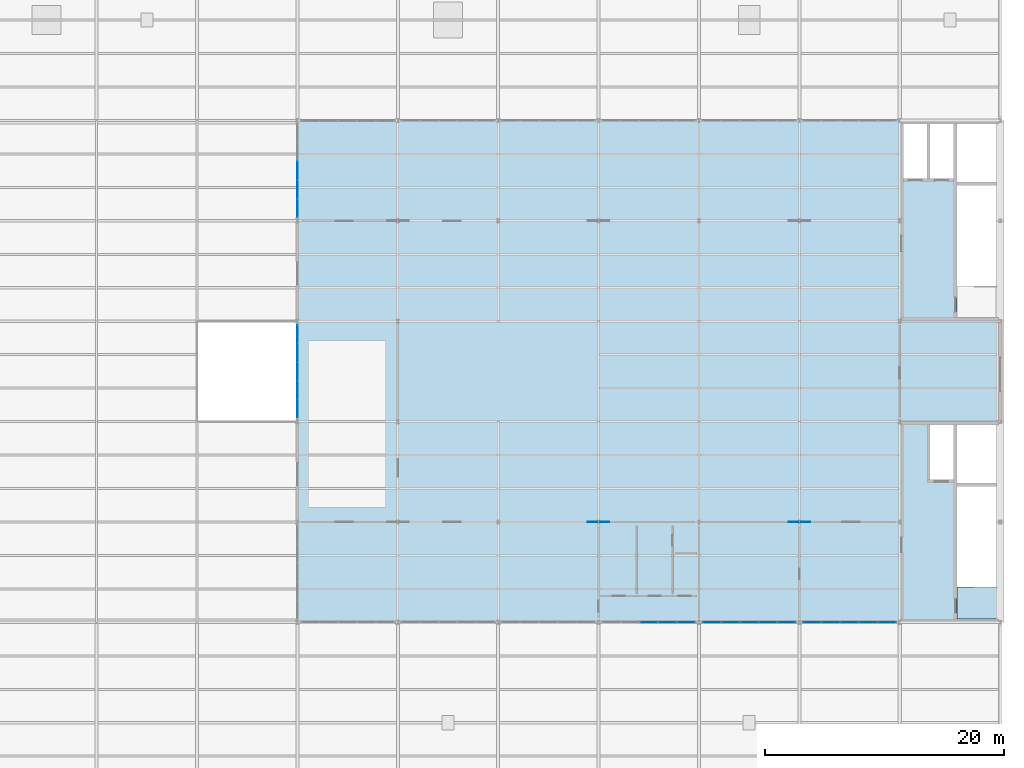
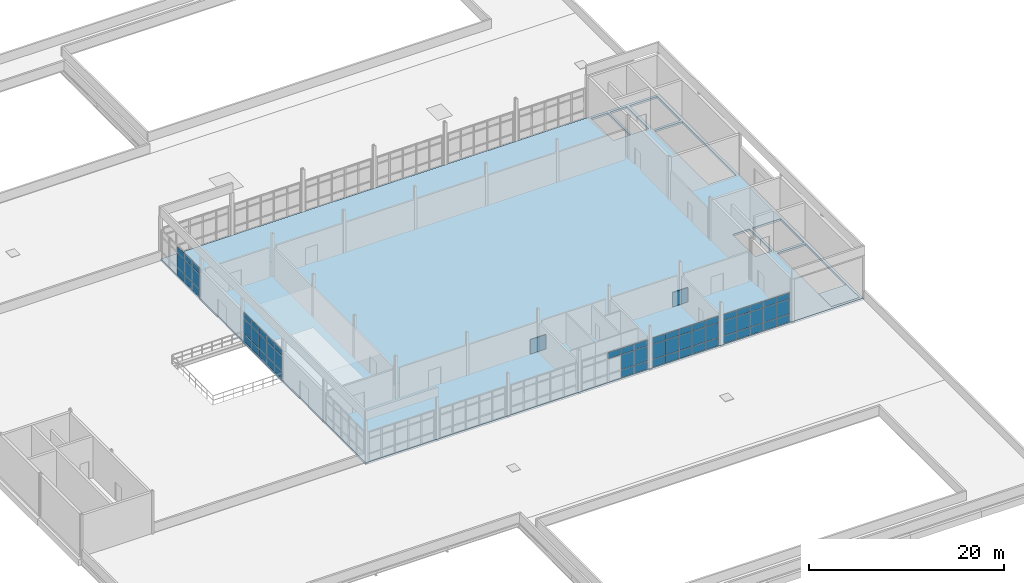
# One storey, part 25 of 33: 63 plates, 2 slabs, 5 elements without a shape of their own.
"""IFC4 building model written with IfcOpenShell, lengths in metres."""

from ifc_helpers import new_model, si_unit, direction, frame, origin, origin_2d, place, context, subcontext, project, spatial, polyline, rectangle, outline, extrude, material, layer, layer_set, type_object, element, aggregate, save


model = new_model("IFC4")

# Units and contexts
model_context = context("Model", 3, precision=1e-05, world=origin(), true_north=direction((0.0, 1.0)))
body_context = subcontext(model_context, "Body", "Model", "MODEL_VIEW")
ifc_project = project(units=[si_unit("LENGTHUNIT", "METRE"), si_unit("AREAUNIT", "SQUARE_METRE"), si_unit("VOLUMEUNIT", "CUBIC_METRE"), si_unit("PLANEANGLEUNIT", "RADIAN"), si_unit("MASSUNIT", "GRAM", prefix="KILO"), si_unit("THERMODYNAMICTEMPERATUREUNIT", "KELVIN"), si_unit("POWERUNIT", "WATT")], contexts=[model_context])

# Site, building, storey
site_placement = place(None, origin())
site = spatial("IfcSite", under=ifc_project, at=site_placement, CompositionType="ELEMENT")
building_placement = place(site_placement, origin())
building = spatial("IfcBuilding", under=site, at=building_placement, Name="Tembeka Court Mobility Hub", CompositionType="ELEMENT")
storey_placement = place(building_placement, frame((0.0, 0.0, 23.39990234375)))
storey = spatial("IfcBuildingStorey", under=building, at=storey_placement, Name="L06", CompositionType="ELEMENT", Elevation=23.39990234375)

# Plates
ifc_material_1 = material(Name="Perforated anodised aluminium acoustic screen", Category="aluminium")
ifc_layer_1 = layer(ifc_material_1, 0.06396484375)
ifc_layer_set_1 = layer_set([ifc_layer_1], Name="Perforated anodised aluminium acoustic screen")
plate_type_1 = type_object("IfcPlateType", Name="PL-AC01", PredefinedType="SHEET", material=ifc_layer_set_1)
for number, where, z_axis, x_axis, name in (
    (1, (58.800048828125, 46.800048828125, 0.0), (0.0, 0.0, 1.0), (1.0, 0.0, 0.0), "Concourse acoustic baffle screen AP01-2"),
    (2, (75.60009765625, 46.800048828125, 0.0), (0.0, 0.0, 1.0), (1.0, 0.0, 0.0), "Concourse acoustic baffle screen AP01-3"),
):
    element("IfcPlate", number, at=place(storey_placement, frame(where, z_axis=z_axis, x_axis=x_axis)), inside=storey, type_object=plate_type_1, Name=name, PredefinedType="SHEET", context=body_context, shape_type="SweptSolid", body=[
        extrude(rectangle(XDim=1.800048828125, YDim=0.06396484375, at=origin_2d()), origin(), (0.0, 0.0, 1.0), 1.800048828125),
    ])

# Curtain wall, plates
ifc_material_2 = material(Name="Anodised aluminium 6063-T6", Category="aluminium")
ifc_layer_2 = layer(ifc_material_2, 0.159912109375)
ifc_layer_set_2 = layer_set([ifc_layer_2], Name="Anodised aluminium 6063-T6")
curtain_wall_type = type_object("IfcCurtainWallType", Name="CW-SYS57", PredefinedType="USERDEFINED", material=ifc_layer_set_2)
curtain_wall_1_placement = place(storey_placement, origin())
curtain_wall_1 = element("IfcCurtainWall", 3, at=curtain_wall_1_placement, inside=storey, type_object=curtain_wall_type, Name="Unitised curtain wall CW57 (CW-L06-149)", ObjectType="UNITISED GLAZING", PredefinedType="USERDEFINED")
ifc_material_3 = material(Name="Laminated solar-control low-E glass", Category="glass")
ifc_layer_3 = layer(ifc_material_3, 0.028076171875)
ifc_layer_set_3 = layer_set([ifc_layer_3], Name="Laminated solar-control low-E glass")
plate_type_2 = type_object("IfcPlateType", Name="PL-CW01", PredefinedType="CURTAIN_PANEL", material=ifc_layer_set_3)
plate_1_placement = place(storey_placement, frame((33.60009765625, 56.2802734375, 0.06494140625), z_axis=(0.0, 0.0, 1.0), x_axis=(0.0, 1.0, 0.0)))
plate_1 = element("IfcPlate", 4, at=plate_1_placement, type_object=plate_type_2, Name="CW57 panel 1.1", PredefinedType="CURTAIN_PANEL", context=body_context, shape_type="SweptSolid", body=[
    extrude(rectangle(XDim=1.470458984375, YDim=0.028076171875, at=origin_2d()), origin(), (0.0, 0.0, 1.0), 0.952392578125),
])
plate_2_placement = place(storey_placement, frame((33.60009765625, 56.2802734375, 1.08251953125), z_axis=(0.0, 0.0, 1.0), x_axis=(0.0, 1.0, 0.0)))
plate_2 = element("IfcPlate", 5, at=plate_2_placement, type_object=plate_type_2, Name="CW57 panel 1.2", PredefinedType="CURTAIN_PANEL", context=body_context, shape_type="SweptSolid", body=[
    extrude(rectangle(XDim=1.470458984375, YDim=0.028076171875, at=origin_2d()), origin(), (0.0, 0.0, 1.0), 1.830078125),
])
plate_3_placement = place(storey_placement, frame((33.60009765625, 56.2802734375, 2.9775390625), z_axis=(0.0, 0.0, 1.0), x_axis=(0.0, 1.0, 0.0)))
plate_3 = element("IfcPlate", 6, at=plate_3_placement, type_object=plate_type_2, Name="CW57 panel 1.3", PredefinedType="CURTAIN_PANEL", context=body_context, shape_type="SweptSolid", body=[
    extrude(rectangle(XDim=1.470458984375, YDim=0.028076171875, at=origin_2d()), origin(), (0.0, 0.0, 1.0), 0.75244140625),
])
plate_4_placement = place(storey_placement, frame((33.60009765625, 57.83203125, 0.06494140625), z_axis=(0.0, 0.0, 1.0), x_axis=(0.0, 1.0, 0.0)))
plate_4 = element("IfcPlate", 7, at=plate_4_placement, type_object=plate_type_2, Name="CW57 panel 2.1", PredefinedType="CURTAIN_PANEL", context=body_context, shape_type="SweptSolid", body=[
    extrude(rectangle(XDim=1.5029296875, YDim=0.028076171875, at=origin_2d()), origin(), (0.0, 0.0, 1.0), 0.952392578125),
])
plate_5_placement = place(storey_placement, frame((33.60009765625, 57.83203125, 1.08251953125), z_axis=(0.0, 0.0, 1.0), x_axis=(0.0, 1.0, 0.0)))
plate_5 = element("IfcPlate", 8, at=plate_5_placement, type_object=plate_type_2, Name="CW57 panel 2.2", PredefinedType="CURTAIN_PANEL", context=body_context, shape_type="SweptSolid", body=[
    extrude(rectangle(XDim=1.5029296875, YDim=0.028076171875, at=origin_2d()), origin(), (0.0, 0.0, 1.0), 1.830078125),
])
plate_6_placement = place(storey_placement, frame((33.60009765625, 57.83203125, 2.9775390625), z_axis=(0.0, 0.0, 1.0), x_axis=(0.0, 1.0, 0.0)))
plate_6 = element("IfcPlate", 9, at=plate_6_placement, type_object=plate_type_2, Name="CW57 panel 2.3", PredefinedType="CURTAIN_PANEL", context=body_context, shape_type="SweptSolid", body=[
    extrude(rectangle(XDim=1.5029296875, YDim=0.028076171875, at=origin_2d()), origin(), (0.0, 0.0, 1.0), 0.75244140625),
])
plate_7_placement = place(storey_placement, frame((33.60009765625, 59.39990234375, 0.06494140625), z_axis=(0.0, 0.0, 1.0), x_axis=(0.0, 1.0, 0.0)))
plate_7 = element("IfcPlate", 10, at=plate_7_placement, type_object=plate_type_2, Name="CW57 panel 3.1", PredefinedType="CURTAIN_PANEL", context=body_context, shape_type="SweptSolid", body=[
    extrude(rectangle(XDim=1.5029296875, YDim=0.028076171875, at=origin_2d()), origin(), (0.0, 0.0, 1.0), 0.952392578125),
])
plate_8_placement = place(storey_placement, frame((33.60009765625, 59.39990234375, 1.08251953125), z_axis=(0.0, 0.0, 1.0), x_axis=(0.0, 1.0, 0.0)))
plate_8 = element("IfcPlate", 11, at=plate_8_placement, type_object=plate_type_2, Name="CW57 panel 3.2", PredefinedType="CURTAIN_PANEL", context=body_context, shape_type="SweptSolid", body=[
    extrude(rectangle(XDim=1.5029296875, YDim=0.028076171875, at=origin_2d()), origin(), (0.0, 0.0, 1.0), 1.830078125),
])
plate_9_placement = place(storey_placement, frame((33.60009765625, 59.39990234375, 2.9775390625), z_axis=(0.0, 0.0, 1.0), x_axis=(0.0, 1.0, 0.0)))
plate_9 = element("IfcPlate", 12, at=plate_9_placement, type_object=plate_type_2, Name="CW57 panel 3.3", PredefinedType="CURTAIN_PANEL", context=body_context, shape_type="SweptSolid", body=[
    extrude(rectangle(XDim=1.5029296875, YDim=0.028076171875, at=origin_2d()), origin(), (0.0, 0.0, 1.0), 0.75244140625),
])
plate_10_placement = place(storey_placement, frame((33.60009765625, 60.968017578125, 0.06494140625), z_axis=(0.0, 0.0, 1.0), x_axis=(0.0, 1.0, 0.0)))
plate_10 = element("IfcPlate", 13, at=plate_10_placement, type_object=plate_type_2, Name="CW57 panel 4.1", PredefinedType="CURTAIN_PANEL", context=body_context, shape_type="SweptSolid", body=[
    extrude(rectangle(XDim=1.5029296875, YDim=0.028076171875, at=origin_2d()), origin(), (0.0, 0.0, 1.0), 0.952392578125),
])
plate_11_placement = place(storey_placement, frame((33.60009765625, 60.968017578125, 1.08251953125), z_axis=(0.0, 0.0, 1.0), x_axis=(0.0, 1.0, 0.0)))
plate_11 = element("IfcPlate", 14, at=plate_11_placement, type_object=plate_type_2, Name="CW57 panel 4.2", PredefinedType="CURTAIN_PANEL", context=body_context, shape_type="SweptSolid", body=[
    extrude(rectangle(XDim=1.5029296875, YDim=0.028076171875, at=origin_2d()), origin(), (0.0, 0.0, 1.0), 1.830078125),
])
plate_12_placement = place(storey_placement, frame((33.60009765625, 60.968017578125, 2.9775390625), z_axis=(0.0, 0.0, 1.0), x_axis=(0.0, 1.0, 0.0)))
plate_12 = element("IfcPlate", 15, at=plate_12_placement, type_object=plate_type_2, Name="CW57 panel 4.3", PredefinedType="CURTAIN_PANEL", context=body_context, shape_type="SweptSolid", body=[
    extrude(rectangle(XDim=1.5029296875, YDim=0.028076171875, at=origin_2d()), origin(), (0.0, 0.0, 1.0), 0.75244140625),
])
plate_13_placement = place(storey_placement, frame((33.60009765625, 62.519775390625, 0.06494140625), z_axis=(0.0, 0.0, 1.0), x_axis=(0.0, 1.0, 0.0)))
plate_13 = element("IfcPlate", 16, at=plate_13_placement, type_object=plate_type_2, Name="CW57 panel 5.1", PredefinedType="CURTAIN_PANEL", context=body_context, shape_type="SweptSolid", body=[
    extrude(rectangle(XDim=1.470458984375, YDim=0.028076171875, at=origin_2d()), origin(), (0.0, 0.0, 1.0), 0.952392578125),
])
plate_14_placement = place(storey_placement, frame((33.60009765625, 62.519775390625, 1.08251953125), z_axis=(0.0, 0.0, 1.0), x_axis=(0.0, 1.0, 0.0)))
plate_14 = element("IfcPlate", 17, at=plate_14_placement, type_object=plate_type_2, Name="CW57 panel 5.2", PredefinedType="CURTAIN_PANEL", context=body_context, shape_type="SweptSolid", body=[
    extrude(rectangle(XDim=1.470458984375, YDim=0.028076171875, at=origin_2d()), origin(), (0.0, 0.0, 1.0), 1.830078125),
])
plate_15_placement = place(storey_placement, frame((33.60009765625, 62.519775390625, 2.9775390625), z_axis=(0.0, 0.0, 1.0), x_axis=(0.0, 1.0, 0.0)))
plate_15 = element("IfcPlate", 18, at=plate_15_placement, type_object=plate_type_2, Name="CW57 panel 5.3", PredefinedType="CURTAIN_PANEL", context=body_context, shape_type="SweptSolid", body=[
    extrude(rectangle(XDim=1.470458984375, YDim=0.028076171875, at=origin_2d()), origin(), (0.0, 0.0, 1.0), 0.75244140625),
])
aggregate(curtain_wall_1, [plate_1, plate_2, plate_3, plate_4, plate_5, plate_6, plate_7, plate_8, plate_9, plate_10, plate_11, plate_12, plate_13, plate_14, plate_15])

curtain_wall_2_placement = place(storey_placement, origin())
curtain_wall_2 = element("IfcCurtainWall", 19, at=curtain_wall_2_placement, inside=storey, type_object=curtain_wall_type, Name="Unitised curtain wall CW57 (CW-L06-151)", ObjectType="UNITISED GLAZING", PredefinedType="USERDEFINED")
plate_16_placement = place(storey_placement, frame((33.60009765625, 73.080322265625, 0.06494140625), z_axis=(0.0, 0.0, 1.0), x_axis=(0.0, 1.0, 0.0)))
plate_16 = element("IfcPlate", 20, at=plate_16_placement, type_object=plate_type_2, Name="CW57 panel 1.1", PredefinedType="CURTAIN_PANEL", context=body_context, shape_type="SweptSolid", body=[
    extrude(rectangle(XDim=1.470458984375, YDim=0.028076171875, at=origin_2d()), origin(), (0.0, 0.0, 1.0), 0.952392578125),
])
plate_17_placement = place(storey_placement, frame((33.60009765625, 73.080322265625, 1.08251953125), z_axis=(0.0, 0.0, 1.0), x_axis=(0.0, 1.0, 0.0)))
plate_17 = element("IfcPlate", 21, at=plate_17_placement, type_object=plate_type_2, Name="CW57 panel 1.2", PredefinedType="CURTAIN_PANEL", context=body_context, shape_type="SweptSolid", body=[
    extrude(rectangle(XDim=1.470458984375, YDim=0.028076171875, at=origin_2d()), origin(), (0.0, 0.0, 1.0), 1.830078125),
])
plate_18_placement = place(storey_placement, frame((33.60009765625, 73.080322265625, 2.9775390625), z_axis=(0.0, 0.0, 1.0), x_axis=(0.0, 1.0, 0.0)))
plate_18 = element("IfcPlate", 22, at=plate_18_placement, type_object=plate_type_2, Name="CW57 panel 1.3", PredefinedType="CURTAIN_PANEL", context=body_context, shape_type="SweptSolid", body=[
    extrude(rectangle(XDim=1.470458984375, YDim=0.028076171875, at=origin_2d()), origin(), (0.0, 0.0, 1.0), 0.75244140625),
])
plate_19_placement = place(storey_placement, frame((33.60009765625, 74.632080078125, 0.06494140625), z_axis=(0.0, 0.0, 1.0), x_axis=(0.0, 1.0, 0.0)))
plate_19 = element("IfcPlate", 23, at=plate_19_placement, type_object=plate_type_2, Name="CW57 panel 2.1", PredefinedType="CURTAIN_PANEL", context=body_context, shape_type="SweptSolid", body=[
    extrude(rectangle(XDim=1.5029296875, YDim=0.028076171875, at=origin_2d()), origin(), (0.0, 0.0, 1.0), 0.952392578125),
])
plate_20_placement = place(storey_placement, frame((33.60009765625, 74.632080078125, 1.08251953125), z_axis=(0.0, 0.0, 1.0), x_axis=(0.0, 1.0, 0.0)))
plate_20 = element("IfcPlate", 24, at=plate_20_placement, type_object=plate_type_2, Name="CW57 panel 2.2", PredefinedType="CURTAIN_PANEL", context=body_context, shape_type="SweptSolid", body=[
    extrude(rectangle(XDim=1.5029296875, YDim=0.028076171875, at=origin_2d()), origin(), (0.0, 0.0, 1.0), 1.830078125),
])
plate_21_placement = place(storey_placement, frame((33.60009765625, 74.632080078125, 2.9775390625), z_axis=(0.0, 0.0, 1.0), x_axis=(0.0, 1.0, 0.0)))
plate_21 = element("IfcPlate", 25, at=plate_21_placement, type_object=plate_type_2, Name="CW57 panel 2.3", PredefinedType="CURTAIN_PANEL", context=body_context, shape_type="SweptSolid", body=[
    extrude(rectangle(XDim=1.5029296875, YDim=0.028076171875, at=origin_2d()), origin(), (0.0, 0.0, 1.0), 0.75244140625),
])
plate_22_placement = place(storey_placement, frame((33.60009765625, 76.199951171875, 0.06494140625), z_axis=(0.0, 0.0, 1.0), x_axis=(0.0, 1.0, 0.0)))
plate_22 = element("IfcPlate", 26, at=plate_22_placement, type_object=plate_type_2, Name="CW57 panel 3.1", PredefinedType="CURTAIN_PANEL", context=body_context, shape_type="SweptSolid", body=[
    extrude(rectangle(XDim=1.5029296875, YDim=0.028076171875, at=origin_2d()), origin(), (0.0, 0.0, 1.0), 0.952392578125),
])
plate_23_placement = place(storey_placement, frame((33.60009765625, 76.199951171875, 1.08251953125), z_axis=(0.0, 0.0, 1.0), x_axis=(0.0, 1.0, 0.0)))
plate_23 = element("IfcPlate", 27, at=plate_23_placement, type_object=plate_type_2, Name="CW57 panel 3.2", PredefinedType="CURTAIN_PANEL", context=body_context, shape_type="SweptSolid", body=[
    extrude(rectangle(XDim=1.5029296875, YDim=0.028076171875, at=origin_2d()), origin(), (0.0, 0.0, 1.0), 1.830078125),
])
plate_24_placement = place(storey_placement, frame((33.60009765625, 76.199951171875, 2.9775390625), z_axis=(0.0, 0.0, 1.0), x_axis=(0.0, 1.0, 0.0)))
plate_24 = element("IfcPlate", 28, at=plate_24_placement, type_object=plate_type_2, Name="CW57 panel 3.3", PredefinedType="CURTAIN_PANEL", context=body_context, shape_type="SweptSolid", body=[
    extrude(rectangle(XDim=1.5029296875, YDim=0.028076171875, at=origin_2d()), origin(), (0.0, 0.0, 1.0), 0.75244140625),
])
aggregate(curtain_wall_2, [plate_16, plate_17, plate_18, plate_19, plate_20, plate_21, plate_22, plate_23, plate_24])

curtain_wall_3_placement = place(storey_placement, origin())
curtain_wall_3 = element("IfcCurtainWall", 29, at=curtain_wall_3_placement, inside=storey, type_object=curtain_wall_type, Name="Unitised curtain wall CW57 (CW-L06-158)", ObjectType="UNITISED GLAZING", PredefinedType="USERDEFINED")
plate_25_placement = place(storey_placement, frame((63.0, 38.39990234375, 2.9775390625), z_axis=(0.0, 0.0, 1.0), x_axis=(1.0, 0.0, 0.0)))
plate_25 = element("IfcPlate", 30, at=plate_25_placement, type_object=plate_type_2, Name="CW57 panel 3.3", PredefinedType="CURTAIN_PANEL", context=body_context, shape_type="SweptSolid", body=[
    extrude(rectangle(XDim=1.5029296875, YDim=0.028076171875, at=origin_2d()), origin(), (0.0, 0.0, 1.0), 0.75244140625),
])
plate_26_placement = place(storey_placement, frame((64.568115234375, 38.39990234375, 0.06494140625), z_axis=(0.0, 0.0, 1.0), x_axis=(1.0, 0.0, 0.0)))
plate_26 = element("IfcPlate", 31, at=plate_26_placement, type_object=plate_type_2, Name="CW57 panel 4.1", PredefinedType="CURTAIN_PANEL", context=body_context, shape_type="SweptSolid", body=[
    extrude(rectangle(XDim=1.5029296875, YDim=0.028076171875, at=origin_2d()), origin(), (0.0, 0.0, 1.0), 0.952392578125),
])
plate_27_placement = place(storey_placement, frame((64.568115234375, 38.39990234375, 1.08251953125), z_axis=(0.0, 0.0, 1.0), x_axis=(1.0, 0.0, 0.0)))
plate_27 = element("IfcPlate", 32, at=plate_27_placement, type_object=plate_type_2, Name="CW57 panel 4.2", PredefinedType="CURTAIN_PANEL", context=body_context, shape_type="SweptSolid", body=[
    extrude(rectangle(XDim=1.5029296875, YDim=0.028076171875, at=origin_2d()), origin(), (0.0, 0.0, 1.0), 1.830078125),
])
plate_28_placement = place(storey_placement, frame((64.568115234375, 38.39990234375, 2.9775390625), z_axis=(0.0, 0.0, 1.0), x_axis=(1.0, 0.0, 0.0)))
plate_28 = element("IfcPlate", 33, at=plate_28_placement, type_object=plate_type_2, Name="CW57 panel 4.3", PredefinedType="CURTAIN_PANEL", context=body_context, shape_type="SweptSolid", body=[
    extrude(rectangle(XDim=1.5029296875, YDim=0.028076171875, at=origin_2d()), origin(), (0.0, 0.0, 1.0), 0.75244140625),
])
plate_29_placement = place(storey_placement, frame((66.11962890625, 38.39990234375, 0.06494140625), z_axis=(0.0, 0.0, 1.0), x_axis=(1.0, 0.0, 0.0)))
plate_29 = element("IfcPlate", 34, at=plate_29_placement, type_object=plate_type_2, Name="CW57 panel 5.1", PredefinedType="CURTAIN_PANEL", context=body_context, shape_type="SweptSolid", body=[
    extrude(rectangle(XDim=1.470458984375, YDim=0.028076171875, at=origin_2d()), origin(), (0.0, 0.0, 1.0), 0.952392578125),
])
plate_30_placement = place(storey_placement, frame((66.11962890625, 38.39990234375, 1.08251953125), z_axis=(0.0, 0.0, 1.0), x_axis=(1.0, 0.0, 0.0)))
plate_30 = element("IfcPlate", 35, at=plate_30_placement, type_object=plate_type_2, Name="CW57 panel 5.2", PredefinedType="CURTAIN_PANEL", context=body_context, shape_type="SweptSolid", body=[
    extrude(rectangle(XDim=1.470458984375, YDim=0.028076171875, at=origin_2d()), origin(), (0.0, 0.0, 1.0), 1.830078125),
])
plate_31_placement = place(storey_placement, frame((66.11962890625, 38.39990234375, 2.9775390625), z_axis=(0.0, 0.0, 1.0), x_axis=(1.0, 0.0, 0.0)))
plate_31 = element("IfcPlate", 36, at=plate_31_placement, type_object=plate_type_2, Name="CW57 panel 5.3", PredefinedType="CURTAIN_PANEL", context=body_context, shape_type="SweptSolid", body=[
    extrude(rectangle(XDim=1.470458984375, YDim=0.028076171875, at=origin_2d()), origin(), (0.0, 0.0, 1.0), 0.75244140625),
])
aggregate(curtain_wall_3, [plate_25, plate_26, plate_27, plate_28, plate_29, plate_30, plate_31])

curtain_wall_4_placement = place(storey_placement, origin())
curtain_wall_4 = element("IfcCurtainWall", 37, at=curtain_wall_4_placement, inside=storey, type_object=curtain_wall_type, Name="Unitised curtain wall CW57 (CW-L06-162)", ObjectType="UNITISED GLAZING", PredefinedType="USERDEFINED")
plate_32_placement = place(storey_placement, frame((76.68017578125, 38.39990234375, 0.06494140625), z_axis=(0.0, 0.0, 1.0), x_axis=(1.0, 0.0, 0.0)))
plate_32 = element("IfcPlate", 38, at=plate_32_placement, type_object=plate_type_2, Name="CW57 panel 1.1", PredefinedType="CURTAIN_PANEL", context=body_context, shape_type="SweptSolid", body=[
    extrude(rectangle(XDim=1.470458984375, YDim=0.028076171875, at=origin_2d()), origin(), (0.0, 0.0, 1.0), 0.952392578125),
])
plate_33_placement = place(storey_placement, frame((76.68017578125, 38.39990234375, 1.08251953125), z_axis=(0.0, 0.0, 1.0), x_axis=(1.0, 0.0, 0.0)))
plate_33 = element("IfcPlate", 39, at=plate_33_placement, type_object=plate_type_2, Name="CW57 panel 1.2", PredefinedType="CURTAIN_PANEL", context=body_context, shape_type="SweptSolid", body=[
    extrude(rectangle(XDim=1.470458984375, YDim=0.028076171875, at=origin_2d()), origin(), (0.0, 0.0, 1.0), 1.830078125),
])
plate_34_placement = place(storey_placement, frame((76.68017578125, 38.39990234375, 2.9775390625), z_axis=(0.0, 0.0, 1.0), x_axis=(1.0, 0.0, 0.0)))
plate_34 = element("IfcPlate", 40, at=plate_34_placement, type_object=plate_type_2, Name="CW57 panel 1.3", PredefinedType="CURTAIN_PANEL", context=body_context, shape_type="SweptSolid", body=[
    extrude(rectangle(XDim=1.470458984375, YDim=0.028076171875, at=origin_2d()), origin(), (0.0, 0.0, 1.0), 0.75244140625),
])
plate_35_placement = place(storey_placement, frame((78.23193359375, 38.39990234375, 0.06494140625), z_axis=(0.0, 0.0, 1.0), x_axis=(1.0, 0.0, 0.0)))
plate_35 = element("IfcPlate", 41, at=plate_35_placement, type_object=plate_type_2, Name="CW57 panel 2.1", PredefinedType="CURTAIN_PANEL", context=body_context, shape_type="SweptSolid", body=[
    extrude(rectangle(XDim=1.5029296875, YDim=0.028076171875, at=origin_2d()), origin(), (0.0, 0.0, 1.0), 0.952392578125),
])
plate_36_placement = place(storey_placement, frame((78.23193359375, 38.39990234375, 1.08251953125), z_axis=(0.0, 0.0, 1.0), x_axis=(1.0, 0.0, 0.0)))
plate_36 = element("IfcPlate", 42, at=plate_36_placement, type_object=plate_type_2, Name="CW57 panel 2.2", PredefinedType="CURTAIN_PANEL", context=body_context, shape_type="SweptSolid", body=[
    extrude(rectangle(XDim=1.5029296875, YDim=0.028076171875, at=origin_2d()), origin(), (0.0, 0.0, 1.0), 1.830078125),
])
plate_37_placement = place(storey_placement, frame((78.23193359375, 38.39990234375, 2.9775390625), z_axis=(0.0, 0.0, 1.0), x_axis=(1.0, 0.0, 0.0)))
plate_37 = element("IfcPlate", 43, at=plate_37_placement, type_object=plate_type_2, Name="CW57 panel 2.3", PredefinedType="CURTAIN_PANEL", context=body_context, shape_type="SweptSolid", body=[
    extrude(rectangle(XDim=1.5029296875, YDim=0.028076171875, at=origin_2d()), origin(), (0.0, 0.0, 1.0), 0.75244140625),
])
plate_38_placement = place(storey_placement, frame((79.800048828125, 38.39990234375, 0.06494140625), z_axis=(0.0, 0.0, 1.0), x_axis=(1.0, 0.0, 0.0)))
plate_38 = element("IfcPlate", 44, at=plate_38_placement, type_object=plate_type_2, Name="CW57 panel 3.1", PredefinedType="CURTAIN_PANEL", context=body_context, shape_type="SweptSolid", body=[
    extrude(rectangle(XDim=1.5029296875, YDim=0.028076171875, at=origin_2d()), origin(), (0.0, 0.0, 1.0), 0.952392578125),
])
plate_39_placement = place(storey_placement, frame((79.800048828125, 38.39990234375, 1.08251953125), z_axis=(0.0, 0.0, 1.0), x_axis=(1.0, 0.0, 0.0)))
plate_39 = element("IfcPlate", 45, at=plate_39_placement, type_object=plate_type_2, Name="CW57 panel 3.2", PredefinedType="CURTAIN_PANEL", context=body_context, shape_type="SweptSolid", body=[
    extrude(rectangle(XDim=1.5029296875, YDim=0.028076171875, at=origin_2d()), origin(), (0.0, 0.0, 1.0), 1.830078125),
])
plate_40_placement = place(storey_placement, frame((79.800048828125, 38.39990234375, 2.9775390625), z_axis=(0.0, 0.0, 1.0), x_axis=(1.0, 0.0, 0.0)))
plate_40 = element("IfcPlate", 46, at=plate_40_placement, type_object=plate_type_2, Name="CW57 panel 3.3", PredefinedType="CURTAIN_PANEL", context=body_context, shape_type="SweptSolid", body=[
    extrude(rectangle(XDim=1.5029296875, YDim=0.028076171875, at=origin_2d()), origin(), (0.0, 0.0, 1.0), 0.75244140625),
])
plate_41_placement = place(storey_placement, frame((81.367919921875, 38.39990234375, 0.06494140625), z_axis=(0.0, 0.0, 1.0), x_axis=(1.0, 0.0, 0.0)))
plate_41 = element("IfcPlate", 47, at=plate_41_placement, type_object=plate_type_2, Name="CW57 panel 4.1", PredefinedType="CURTAIN_PANEL", context=body_context, shape_type="SweptSolid", body=[
    extrude(rectangle(XDim=1.5029296875, YDim=0.028076171875, at=origin_2d()), origin(), (0.0, 0.0, 1.0), 0.952392578125),
])
plate_42_placement = place(storey_placement, frame((81.367919921875, 38.39990234375, 1.08251953125), z_axis=(0.0, 0.0, 1.0), x_axis=(1.0, 0.0, 0.0)))
plate_42 = element("IfcPlate", 48, at=plate_42_placement, type_object=plate_type_2, Name="CW57 panel 4.2", PredefinedType="CURTAIN_PANEL", context=body_context, shape_type="SweptSolid", body=[
    extrude(rectangle(XDim=1.5029296875, YDim=0.028076171875, at=origin_2d()), origin(), (0.0, 0.0, 1.0), 1.830078125),
])
plate_43_placement = place(storey_placement, frame((81.367919921875, 38.39990234375, 2.9775390625), z_axis=(0.0, 0.0, 1.0), x_axis=(1.0, 0.0, 0.0)))
plate_43 = element("IfcPlate", 49, at=plate_43_placement, type_object=plate_type_2, Name="CW57 panel 4.3", PredefinedType="CURTAIN_PANEL", context=body_context, shape_type="SweptSolid", body=[
    extrude(rectangle(XDim=1.5029296875, YDim=0.028076171875, at=origin_2d()), origin(), (0.0, 0.0, 1.0), 0.75244140625),
])
plate_44_placement = place(storey_placement, frame((82.919677734375, 38.39990234375, 0.06494140625), z_axis=(0.0, 0.0, 1.0), x_axis=(1.0, 0.0, 0.0)))
plate_44 = element("IfcPlate", 50, at=plate_44_placement, type_object=plate_type_2, Name="CW57 panel 5.1", PredefinedType="CURTAIN_PANEL", context=body_context, shape_type="SweptSolid", body=[
    extrude(rectangle(XDim=1.470458984375, YDim=0.028076171875, at=origin_2d()), origin(), (0.0, 0.0, 1.0), 0.952392578125),
])
plate_45_placement = place(storey_placement, frame((82.919677734375, 38.39990234375, 1.08251953125), z_axis=(0.0, 0.0, 1.0), x_axis=(1.0, 0.0, 0.0)))
plate_45 = element("IfcPlate", 51, at=plate_45_placement, type_object=plate_type_2, Name="CW57 panel 5.2", PredefinedType="CURTAIN_PANEL", context=body_context, shape_type="SweptSolid", body=[
    extrude(rectangle(XDim=1.470458984375, YDim=0.028076171875, at=origin_2d()), origin(), (0.0, 0.0, 1.0), 1.830078125),
])
plate_46_placement = place(storey_placement, frame((82.919677734375, 38.39990234375, 2.9775390625), z_axis=(0.0, 0.0, 1.0), x_axis=(1.0, 0.0, 0.0)))
plate_46 = element("IfcPlate", 52, at=plate_46_placement, type_object=plate_type_2, Name="CW57 panel 5.3", PredefinedType="CURTAIN_PANEL", context=body_context, shape_type="SweptSolid", body=[
    extrude(rectangle(XDim=1.470458984375, YDim=0.028076171875, at=origin_2d()), origin(), (0.0, 0.0, 1.0), 0.75244140625),
])
aggregate(curtain_wall_4, [plate_32, plate_33, plate_34, plate_35, plate_36, plate_37, plate_38, plate_39, plate_40, plate_41, plate_42, plate_43, plate_44, plate_45, plate_46])

curtain_wall_5_placement = place(storey_placement, origin())
curtain_wall_5 = element("IfcCurtainWall", 53, at=curtain_wall_5_placement, inside=storey, type_object=curtain_wall_type, Name="Unitised curtain wall CW57 (CW-L06-160)", ObjectType="UNITISED GLAZING", PredefinedType="USERDEFINED")
ifc_material_4 = material(Name="Insulated aluminium spandrel panel", Category="aluminium")
ifc_layer_4 = layer(ifc_material_4, 0.052001953125)
ifc_layer_set_4 = layer_set([ifc_layer_4], Name="Insulated aluminium spandrel panel")
plate_type_3 = type_object("IfcPlateType", Name="PL-CW02", PredefinedType="CURTAIN_PANEL", material=ifc_layer_set_4)
plate_47_placement = place(storey_placement, frame((68.2802734375, 38.39990234375, 0.06494140625), z_axis=(0.0, 0.0, 1.0), x_axis=(1.0, 0.0, 0.0)))
plate_47 = element("IfcPlate", 54, at=plate_47_placement, type_object=plate_type_3, Name="CW57 panel 1.1", PredefinedType="CURTAIN_PANEL", context=body_context, shape_type="SweptSolid", body=[
    extrude(rectangle(XDim=1.470458984375, YDim=0.052001953125, at=origin_2d()), origin(), (0.0, 0.0, 1.0), 0.952392578125),
])
plate_48_placement = place(storey_placement, frame((68.2802734375, 38.39990234375, 1.08251953125), z_axis=(0.0, 0.0, 1.0), x_axis=(1.0, 0.0, 0.0)))
plate_48 = element("IfcPlate", 55, at=plate_48_placement, type_object=plate_type_3, Name="CW57 panel 1.2", PredefinedType="CURTAIN_PANEL", context=body_context, shape_type="SweptSolid", body=[
    extrude(rectangle(XDim=1.470458984375, YDim=0.052001953125, at=origin_2d()), origin(), (0.0, 0.0, 1.0), 1.830078125),
])
plate_49_placement = place(storey_placement, frame((68.2802734375, 38.39990234375, 2.9775390625), z_axis=(0.0, 0.0, 1.0), x_axis=(1.0, 0.0, 0.0)))
plate_49 = element("IfcPlate", 56, at=plate_49_placement, type_object=plate_type_3, Name="CW57 panel 1.3", PredefinedType="CURTAIN_PANEL", context=body_context, shape_type="SweptSolid", body=[
    extrude(rectangle(XDim=1.470458984375, YDim=0.052001953125, at=origin_2d()), origin(), (0.0, 0.0, 1.0), 0.75244140625),
])
plate_50_placement = place(storey_placement, frame((69.83203125, 38.39990234375, 0.06494140625), z_axis=(0.0, 0.0, 1.0), x_axis=(1.0, 0.0, 0.0)))
plate_50 = element("IfcPlate", 57, at=plate_50_placement, type_object=plate_type_3, Name="CW57 panel 2.1", PredefinedType="CURTAIN_PANEL", context=body_context, shape_type="SweptSolid", body=[
    extrude(rectangle(XDim=1.5029296875, YDim=0.052001953125, at=origin_2d()), origin(), (0.0, 0.0, 1.0), 0.952392578125),
])
plate_51_placement = place(storey_placement, frame((69.83203125, 38.39990234375, 1.08251953125), z_axis=(0.0, 0.0, 1.0), x_axis=(1.0, 0.0, 0.0)))
plate_51 = element("IfcPlate", 58, at=plate_51_placement, type_object=plate_type_3, Name="CW57 panel 2.2", PredefinedType="CURTAIN_PANEL", context=body_context, shape_type="SweptSolid", body=[
    extrude(rectangle(XDim=1.5029296875, YDim=0.052001953125, at=origin_2d()), origin(), (0.0, 0.0, 1.0), 1.830078125),
])
plate_52_placement = place(storey_placement, frame((69.83203125, 38.39990234375, 2.9775390625), z_axis=(0.0, 0.0, 1.0), x_axis=(1.0, 0.0, 0.0)))
plate_52 = element("IfcPlate", 59, at=plate_52_placement, type_object=plate_type_3, Name="CW57 panel 2.3", PredefinedType="CURTAIN_PANEL", context=body_context, shape_type="SweptSolid", body=[
    extrude(rectangle(XDim=1.5029296875, YDim=0.052001953125, at=origin_2d()), origin(), (0.0, 0.0, 1.0), 0.75244140625),
])
plate_53_placement = place(storey_placement, frame((71.39990234375, 38.39990234375, 0.06494140625), z_axis=(0.0, 0.0, 1.0), x_axis=(1.0, 0.0, 0.0)))
plate_53 = element("IfcPlate", 60, at=plate_53_placement, type_object=plate_type_3, Name="CW57 panel 3.1", PredefinedType="CURTAIN_PANEL", context=body_context, shape_type="SweptSolid", body=[
    extrude(rectangle(XDim=1.5029296875, YDim=0.052001953125, at=origin_2d()), origin(), (0.0, 0.0, 1.0), 0.952392578125),
])
plate_54_placement = place(storey_placement, frame((71.39990234375, 38.39990234375, 1.08251953125), z_axis=(0.0, 0.0, 1.0), x_axis=(1.0, 0.0, 0.0)))
plate_54 = element("IfcPlate", 61, at=plate_54_placement, type_object=plate_type_3, Name="CW57 panel 3.2", PredefinedType="CURTAIN_PANEL", context=body_context, shape_type="SweptSolid", body=[
    extrude(rectangle(XDim=1.5029296875, YDim=0.052001953125, at=origin_2d()), origin(), (0.0, 0.0, 1.0), 1.830078125),
])
plate_55_placement = place(storey_placement, frame((71.39990234375, 38.39990234375, 2.9775390625), z_axis=(0.0, 0.0, 1.0), x_axis=(1.0, 0.0, 0.0)))
plate_55 = element("IfcPlate", 62, at=plate_55_placement, type_object=plate_type_3, Name="CW57 panel 3.3", PredefinedType="CURTAIN_PANEL", context=body_context, shape_type="SweptSolid", body=[
    extrude(rectangle(XDim=1.5029296875, YDim=0.052001953125, at=origin_2d()), origin(), (0.0, 0.0, 1.0), 0.75244140625),
])
plate_56_placement = place(storey_placement, frame((72.968017578125, 38.39990234375, 0.06494140625), z_axis=(0.0, 0.0, 1.0), x_axis=(1.0, 0.0, 0.0)))
plate_56 = element("IfcPlate", 63, at=plate_56_placement, type_object=plate_type_3, Name="CW57 panel 4.1", PredefinedType="CURTAIN_PANEL", context=body_context, shape_type="SweptSolid", body=[
    extrude(rectangle(XDim=1.5029296875, YDim=0.052001953125, at=origin_2d()), origin(), (0.0, 0.0, 1.0), 0.952392578125),
])
plate_57_placement = place(storey_placement, frame((72.968017578125, 38.39990234375, 1.08251953125), z_axis=(0.0, 0.0, 1.0), x_axis=(1.0, 0.0, 0.0)))
plate_57 = element("IfcPlate", 64, at=plate_57_placement, type_object=plate_type_3, Name="CW57 panel 4.2", PredefinedType="CURTAIN_PANEL", context=body_context, shape_type="SweptSolid", body=[
    extrude(rectangle(XDim=1.5029296875, YDim=0.052001953125, at=origin_2d()), origin(), (0.0, 0.0, 1.0), 1.830078125),
])
plate_58_placement = place(storey_placement, frame((72.968017578125, 38.39990234375, 2.9775390625), z_axis=(0.0, 0.0, 1.0), x_axis=(1.0, 0.0, 0.0)))
plate_58 = element("IfcPlate", 65, at=plate_58_placement, type_object=plate_type_3, Name="CW57 panel 4.3", PredefinedType="CURTAIN_PANEL", context=body_context, shape_type="SweptSolid", body=[
    extrude(rectangle(XDim=1.5029296875, YDim=0.052001953125, at=origin_2d()), origin(), (0.0, 0.0, 1.0), 0.75244140625),
])
plate_59_placement = place(storey_placement, frame((74.519775390625, 38.39990234375, 0.06494140625), z_axis=(0.0, 0.0, 1.0), x_axis=(1.0, 0.0, 0.0)))
plate_59 = element("IfcPlate", 66, at=plate_59_placement, type_object=plate_type_3, Name="CW57 panel 5.1", PredefinedType="CURTAIN_PANEL", context=body_context, shape_type="SweptSolid", body=[
    extrude(rectangle(XDim=1.470458984375, YDim=0.052001953125, at=origin_2d()), origin(), (0.0, 0.0, 1.0), 0.952392578125),
])
plate_60_placement = place(storey_placement, frame((74.519775390625, 38.39990234375, 1.08251953125), z_axis=(0.0, 0.0, 1.0), x_axis=(1.0, 0.0, 0.0)))
plate_60 = element("IfcPlate", 67, at=plate_60_placement, type_object=plate_type_3, Name="CW57 panel 5.2", PredefinedType="CURTAIN_PANEL", context=body_context, shape_type="SweptSolid", body=[
    extrude(rectangle(XDim=1.470458984375, YDim=0.052001953125, at=origin_2d()), origin(), (0.0, 0.0, 1.0), 1.830078125),
])
plate_61_placement = place(storey_placement, frame((74.519775390625, 38.39990234375, 2.9775390625), z_axis=(0.0, 0.0, 1.0), x_axis=(1.0, 0.0, 0.0)))
plate_61 = element("IfcPlate", 68, at=plate_61_placement, type_object=plate_type_3, Name="CW57 panel 5.3", PredefinedType="CURTAIN_PANEL", context=body_context, shape_type="SweptSolid", body=[
    extrude(rectangle(XDim=1.470458984375, YDim=0.052001953125, at=origin_2d()), origin(), (0.0, 0.0, 1.0), 0.75244140625),
])
aggregate(curtain_wall_5, [plate_47, plate_48, plate_49, plate_50, plate_51, plate_52, plate_53, plate_54, plate_55, plate_56, plate_57, plate_58, plate_59, plate_60, plate_61])

# Slabs
ifc_material_5 = material(Name="Concrete C40/50", Category="concrete")
ifc_layer_5 = layer(ifc_material_5, 0.25)
ifc_layer_set_5 = layer_set([ifc_layer_5], Name="Concrete C40/50")
slab_type_1 = type_object("IfcSlabType", Name="SL-FL04", PredefinedType="FLOOR", material=ifc_layer_set_5)
slab_1_placement = place(storey_placement, frame((0.0, 0.0, -0.25)))
element("IfcSlab", 69, at=slab_1_placement, inside=storey, type_object=slab_type_1, Name="L06 rooftop sports court and lounge slab", PredefinedType="FLOOR", context=body_context, shape_type="SweptSolid", body=[
    extrude(outline(polyline([(33.60009765625, 38.39990234375), (92.39990234375, 38.39990234375), (92.39990234375, 80.39990234375), (33.60009765625, 80.39990234375), (33.60009765625, 38.39990234375)]), holes=[polyline([(88.800048828125, 74.949951171875), (92.10009765625, 74.949951171875), (92.10009765625, 63.89990234375), (88.800048828125, 63.89990234375), (88.800048828125, 74.949951171875)]), polyline([(84.300048828125, 80.10009765625), (86.300048828125, 80.10009765625), (86.300048828125, 75.550048828125), (84.300048828125, 75.550048828125), (84.300048828125, 80.10009765625)]), polyline([(86.5, 80.10009765625), (88.5, 80.10009765625), (88.5, 75.550048828125), (86.5, 75.550048828125), (86.5, 80.10009765625)]), polyline([(88.800048828125, 80.10009765625), (92.10009765625, 80.10009765625), (92.10009765625, 75.25), (88.800048828125, 75.25), (88.800048828125, 80.10009765625)]), polyline([(88.800048828125, 49.75), (92.10009765625, 49.75), (92.10009765625, 38.699951171875), (88.800048828125, 38.699951171875), (88.800048828125, 49.75)]), polyline([(86.5, 54.89990234375), (88.5, 54.89990234375), (88.5, 50.35009765625), (86.5, 50.35009765625), (86.5, 54.89990234375)]), polyline([(88.800048828125, 54.89990234375), (92.10009765625, 54.89990234375), (92.10009765625, 50.050048828125), (88.800048828125, 50.050048828125), (88.800048828125, 54.89990234375)])]), origin(), (0.0, 0.0, 1.0), 0.25),
])
ifc_layer_6 = layer(ifc_material_5, 0.199951171875)
ifc_layer_set_6 = layer_set([ifc_layer_6], Name="Concrete C40/50")
slab_type_2 = type_object("IfcSlabType", Name="SL-LD01", PredefinedType="LANDING", material=ifc_layer_set_6)
slab_2_placement = place(storey_placement, frame((0.0, 0.0, -0.25)))
element("IfcSlab", 70, at=slab_2_placement, inside=storey, type_object=slab_type_2, Name="Stair ST04 L06 floor landing slab", PredefinedType="LANDING", context=body_context, shape_type="SweptSolid", body=[
    extrude(outline(polyline([(88.800048828125, 38.699951171875), (92.10009765625, 38.699951171875), (92.10009765625, 41.35009765625), (88.800048828125, 41.35009765625), (88.800048828125, 38.699951171875)])), origin(), (0.0, 0.0, 1.0), 0.25),
])

save(model, "model.ifc")
